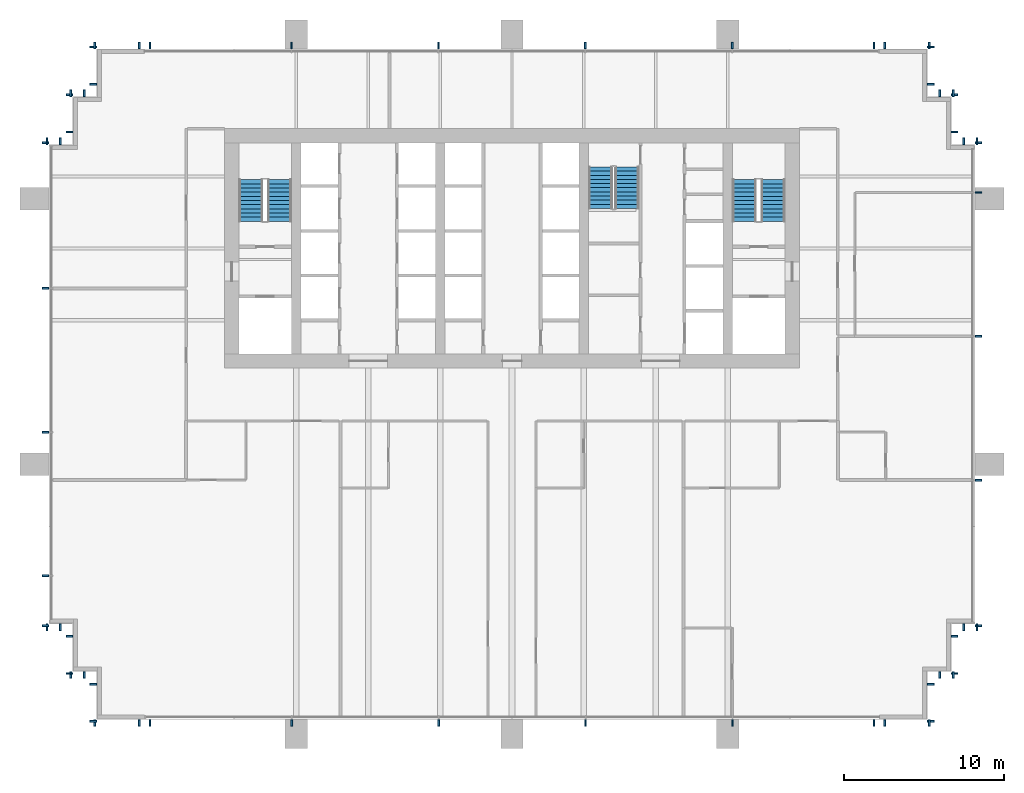
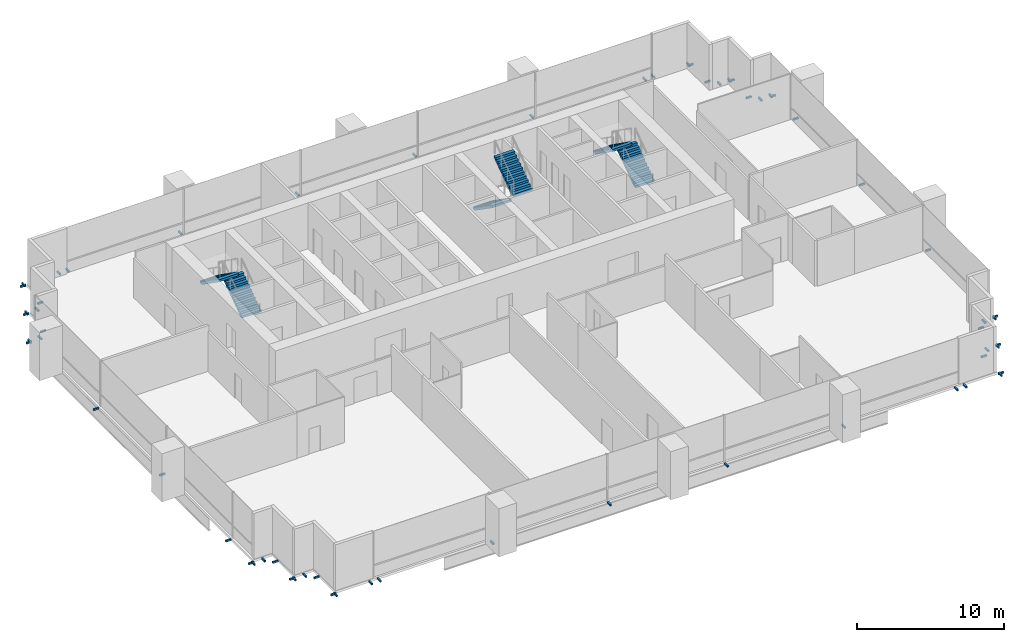
# One storey, part 13 of 14: 62 discrete accessories, 6 stair flights, 3 elements without a shape of their own.
"""IFC4 building model written with IfcOpenShell, lengths in metres."""

from ifc_helpers import new_model, si_unit, direction, frame, origin, origin_2d, place, context, subcontext, project, spatial, polyline, rectangle, outline, extrude, material, type_object, element, aggregate, save


model = new_model("IFC4")

# Units and contexts
model_context = context("Model", 3, precision=1e-05, world=origin(), true_north=direction((0.0, 1.0)))
body_context = subcontext(model_context, "Body", "Model", "MODEL_VIEW")
ifc_project = project(units=[si_unit("LENGTHUNIT", "METRE"), si_unit("AREAUNIT", "SQUARE_METRE"), si_unit("VOLUMEUNIT", "CUBIC_METRE"), si_unit("PLANEANGLEUNIT", "RADIAN"), si_unit("MASSUNIT", "GRAM", prefix="KILO")], contexts=[model_context])

# Site, building, storey
site_placement = place(None, origin())
site = spatial("IfcSite", under=ifc_project, at=site_placement, CompositionType="ELEMENT")
building_placement = place(site_placement, origin())
building = spatial("IfcBuilding", under=site, at=building_placement, Name="Rattan Terrace Tower", CompositionType="ELEMENT")
storey_placement = place(building_placement, frame((0.0, 0.0, 154.10009765625)))
storey = spatial("IfcBuildingStorey", under=building, at=storey_placement, Name="L35", CompositionType="ELEMENT", Elevation=154.10009765625)

# Stair, stair flights
ifc_material_1 = material(Name="Concrete C40/50", Category="concrete")
stair_type = type_object("IfcStairType", Name="Core exit stair 1500", PredefinedType="HALF_TURN_STAIR", material=ifc_material_1)
stair_1_placement = place(storey_placement, origin())
stair_1 = element("IfcStair", 1, at=stair_1_placement, inside=storey, type_object=stair_type, Name="L35 exit stair 1", PredefinedType="HALF_TURN_STAIR")
ifc_material_2 = material(Name="Concrete C40/50", Category="concrete")
stair_flight_type = type_object("IfcStairFlightType", Name="Core exit stair flight 1500", PredefinedType="STRAIGHT", material=ifc_material_2)
stair_flight_1_placement = place(storey_placement, frame((-14.550048828125, 1.699951171875, 0.0), z_axis=(0.0, 0.0, 1.0), x_axis=(0.0, 1.0, 0.0)))
stair_flight_1 = element("IfcStairFlight", 2, at=stair_flight_1_placement, type_object=stair_flight_type, Name="S1 flight 1", NumberOfRisers=11, NumberOfTreads=10, PredefinedType="STRAIGHT", RiserHeight=0.181818182, TreadLength=0.26, context=body_context, shape_type="SweptSolid", body=[
    extrude(outline(polyline([(0.0, 0.0), (0.0, 0.181884765625), (0.260009765625, 0.181884765625), (0.260009765625, 0.363525390625), (0.52001953125, 0.363525390625), (0.52001953125, 0.54541015625), (0.780029296875, 0.54541015625), (0.780029296875, 0.727294921875), (1.0400390625, 0.727294921875), (1.0400390625, 0.9091796875), (1.300048828125, 0.9091796875), (1.300048828125, 1.0908203125), (1.56005859375, 1.0908203125), (1.56005859375, 1.272705078125), (1.820068359375, 1.272705078125), (1.820068359375, 1.45458984375), (2.080078125, 1.45458984375), (2.080078125, 1.636474609375), (2.340087890625, 1.636474609375), (2.340087890625, 1.818115234375), (2.60009765625, 1.818115234375), (2.60009765625, 2.0), (2.60009765625, 1.63525390625), (0.261474609375, 0.0), (0.0, 0.0)])), frame((0.0, 0.75, 0.0), z_axis=(0.0, -1.0, 0.0), x_axis=(1.0, 0.0, 0.0)), (0.0, 0.0, 1.0), 1.5),
])
stair_flight_2_placement = place(storey_placement, frame((-16.35009765625, 4.300048828125, 2.0), z_axis=(0.0, 0.0, 1.0), x_axis=(0.0, -1.0, 0.0)))
stair_flight_2 = element("IfcStairFlight", 3, at=stair_flight_2_placement, type_object=stair_flight_type, Name="S1 flight 2", NumberOfRisers=11, NumberOfTreads=10, PredefinedType="STRAIGHT", RiserHeight=0.181818182, TreadLength=0.26, context=body_context, shape_type="SweptSolid", body=[
    extrude(outline(polyline([(0.0, 0.0), (0.0, 0.181884765625), (0.260009765625, 0.181884765625), (0.260009765625, 0.363525390625), (0.52001953125, 0.363525390625), (0.52001953125, 0.54541015625), (0.780029296875, 0.54541015625), (0.780029296875, 0.727294921875), (1.0400390625, 0.727294921875), (1.0400390625, 0.9091796875), (1.300048828125, 0.9091796875), (1.300048828125, 1.0908203125), (1.56005859375, 1.0908203125), (1.56005859375, 1.272705078125), (1.820068359375, 1.272705078125), (1.820068359375, 1.45458984375), (2.080078125, 1.45458984375), (2.080078125, 1.636474609375), (2.340087890625, 1.636474609375), (2.340087890625, 1.818115234375), (2.60009765625, 1.818115234375), (2.60009765625, 2.0), (2.60009765625, 1.63525390625), (0.261474609375, 0.0), (0.0, 0.0)])), frame((0.0, 0.75, 0.0), z_axis=(0.0, -1.0, 0.0), x_axis=(1.0, 0.0, 0.0)), (0.0, 0.0, 1.0), 1.5),
])
aggregate(stair_1, [stair_flight_1, stair_flight_2])

stair_2_placement = place(storey_placement, origin())
stair_2 = element("IfcStair", 4, at=stair_2_placement, inside=storey, type_object=stair_type, Name="L35 exit stair 2", PredefinedType="HALF_TURN_STAIR")
stair_flight_3_placement = place(storey_placement, frame((16.35009765625, 1.699951171875, 0.0), z_axis=(0.0, 0.0, 1.0), x_axis=(0.0, 1.0, 0.0)))
stair_flight_3 = element("IfcStairFlight", 5, at=stair_flight_3_placement, type_object=stair_flight_type, Name="S2 flight 1", NumberOfRisers=11, NumberOfTreads=10, PredefinedType="STRAIGHT", RiserHeight=0.181818182, TreadLength=0.26, context=body_context, shape_type="SweptSolid", body=[
    extrude(outline(polyline([(0.0, 0.0), (0.0, 0.181884765625), (0.260009765625, 0.181884765625), (0.260009765625, 0.363525390625), (0.52001953125, 0.363525390625), (0.52001953125, 0.54541015625), (0.780029296875, 0.54541015625), (0.780029296875, 0.727294921875), (1.0400390625, 0.727294921875), (1.0400390625, 0.9091796875), (1.300048828125, 0.9091796875), (1.300048828125, 1.0908203125), (1.56005859375, 1.0908203125), (1.56005859375, 1.272705078125), (1.820068359375, 1.272705078125), (1.820068359375, 1.45458984375), (2.080078125, 1.45458984375), (2.080078125, 1.636474609375), (2.340087890625, 1.636474609375), (2.340087890625, 1.818115234375), (2.60009765625, 1.818115234375), (2.60009765625, 2.0), (2.60009765625, 1.63525390625), (0.261474609375, 0.0), (0.0, 0.0)])), frame((0.0, 0.75, 0.0), z_axis=(0.0, -1.0, 0.0), x_axis=(1.0, 0.0, 0.0)), (0.0, 0.0, 1.0), 1.5),
])
stair_flight_4_placement = place(storey_placement, frame((14.550048828125, 4.300048828125, 2.0), z_axis=(0.0, 0.0, 1.0), x_axis=(0.0, -1.0, 0.0)))
stair_flight_4 = element("IfcStairFlight", 6, at=stair_flight_4_placement, type_object=stair_flight_type, Name="S2 flight 2", NumberOfRisers=11, NumberOfTreads=10, PredefinedType="STRAIGHT", RiserHeight=0.181818182, TreadLength=0.26, context=body_context, shape_type="SweptSolid", body=[
    extrude(outline(polyline([(0.0, 0.0), (0.0, 0.181884765625), (0.260009765625, 0.181884765625), (0.260009765625, 0.363525390625), (0.52001953125, 0.363525390625), (0.52001953125, 0.54541015625), (0.780029296875, 0.54541015625), (0.780029296875, 0.727294921875), (1.0400390625, 0.727294921875), (1.0400390625, 0.9091796875), (1.300048828125, 0.9091796875), (1.300048828125, 1.0908203125), (1.56005859375, 1.0908203125), (1.56005859375, 1.272705078125), (1.820068359375, 1.272705078125), (1.820068359375, 1.45458984375), (2.080078125, 1.45458984375), (2.080078125, 1.636474609375), (2.340087890625, 1.636474609375), (2.340087890625, 1.818115234375), (2.60009765625, 1.818115234375), (2.60009765625, 2.0), (2.60009765625, 1.63525390625), (0.261474609375, 0.0), (0.0, 0.0)])), frame((0.0, 0.75, 0.0), z_axis=(0.0, -1.0, 0.0), x_axis=(1.0, 0.0, 0.0)), (0.0, 0.0, 1.0), 1.5),
])
aggregate(stair_2, [stair_flight_3, stair_flight_4])

stair_3_placement = place(storey_placement, origin())
stair_3 = element("IfcStair", 7, at=stair_3_placement, inside=storey, type_object=stair_type, Name="L35 exit stair 3", PredefinedType="HALF_TURN_STAIR")
stair_flight_5_placement = place(storey_placement, frame((5.550048828125, 5.10009765625, 0.0), z_axis=(0.0, 0.0, 1.0), x_axis=(0.0, -1.0, 0.0)))
stair_flight_5 = element("IfcStairFlight", 8, at=stair_flight_5_placement, type_object=stair_flight_type, Name="S3 flight 1", NumberOfRisers=11, NumberOfTreads=10, PredefinedType="STRAIGHT", RiserHeight=0.181818182, TreadLength=0.26, context=body_context, shape_type="SweptSolid", body=[
    extrude(outline(polyline([(0.0, 0.0), (0.0, 0.181884765625), (0.260009765625, 0.181884765625), (0.260009765625, 0.363525390625), (0.52001953125, 0.363525390625), (0.52001953125, 0.54541015625), (0.780029296875, 0.54541015625), (0.780029296875, 0.727294921875), (1.0400390625, 0.727294921875), (1.0400390625, 0.9091796875), (1.300048828125, 0.9091796875), (1.300048828125, 1.0908203125), (1.56005859375, 1.0908203125), (1.56005859375, 1.272705078125), (1.820068359375, 1.272705078125), (1.820068359375, 1.45458984375), (2.080078125, 1.45458984375), (2.080078125, 1.636474609375), (2.340087890625, 1.636474609375), (2.340087890625, 1.818115234375), (2.60009765625, 1.818115234375), (2.60009765625, 2.0), (2.60009765625, 1.63525390625), (0.261474609375, 0.0), (0.0, 0.0)])), frame((0.0, 0.75, 0.0), z_axis=(0.0, -1.0, 0.0), x_axis=(1.0, 0.0, 0.0)), (0.0, 0.0, 1.0), 1.5),
])
stair_flight_6_placement = place(storey_placement, frame((7.199951171875, 2.5, 2.0), z_axis=(0.0, 0.0, 1.0), x_axis=(0.0, 1.0, 0.0)))
stair_flight_6 = element("IfcStairFlight", 9, at=stair_flight_6_placement, type_object=stair_flight_type, Name="S3 flight 2", NumberOfRisers=11, NumberOfTreads=10, PredefinedType="STRAIGHT", RiserHeight=0.181818182, TreadLength=0.26, context=body_context, shape_type="SweptSolid", body=[
    extrude(outline(polyline([(0.0, 0.0), (0.0, 0.181884765625), (0.260009765625, 0.181884765625), (0.260009765625, 0.363525390625), (0.52001953125, 0.363525390625), (0.52001953125, 0.54541015625), (0.780029296875, 0.54541015625), (0.780029296875, 0.727294921875), (1.0400390625, 0.727294921875), (1.0400390625, 0.9091796875), (1.300048828125, 0.9091796875), (1.300048828125, 1.0908203125), (1.56005859375, 1.0908203125), (1.56005859375, 1.272705078125), (1.820068359375, 1.272705078125), (1.820068359375, 1.45458984375), (2.080078125, 1.45458984375), (2.080078125, 1.636474609375), (2.340087890625, 1.636474609375), (2.340087890625, 1.818115234375), (2.60009765625, 1.818115234375), (2.60009765625, 2.0), (2.60009765625, 1.63525390625), (0.261474609375, 0.0), (0.0, 0.0)])), frame((0.0, 0.75, 0.0), z_axis=(0.0, -1.0, 0.0), x_axis=(1.0, 0.0, 0.0)), (0.0, 0.0, 1.0), 1.5),
])
aggregate(stair_3, [stair_flight_5, stair_flight_6])

# Discrete accessories
for number, where, z_axis, x_axis, name in (
    (10, (23.340087890625, -29.7099609375, -0.169921875), (0.0, 0.0, 1.0), (1.0, 0.0, 0.0), "Panel bracket L35-1"),
    (11, (26.110107421875, -29.7099609375, -0.169921875), (0.0, 0.0, 1.0), (1.0, 0.0, 0.0), "Panel bracket L35-2"),
    (12, (26.2099609375, -29.610107421875, -0.169921875), (0.0, 0.0, 1.0), (0.0, 1.0, 0.0), "Panel bracket L35-3"),
    (13, (26.2099609375, -27.2900390625, -0.169921875), (0.0, 0.0, 1.0), (0.0, 1.0, 0.0), "Panel bracket L35-4"),
    (14, (26.7900390625, -26.7099609375, -0.169921875), (0.0, 0.0, 1.0), (1.0, 0.0, 0.0), "Panel bracket L35-5"),
    (15, (27.610107421875, -26.7099609375, -0.169921875), (0.0, 0.0, 1.0), (1.0, 0.0, 0.0), "Panel bracket L35-6"),
    (16, (27.7099609375, -26.610107421875, -0.169921875), (0.0, 0.0, 1.0), (0.0, 1.0, 0.0), "Panel bracket L35-7"),
    (17, (27.7099609375, -24.2900390625, -0.169921875), (0.0, 0.0, 1.0), (0.0, 1.0, 0.0), "Panel bracket L35-8"),
    (18, (28.2900390625, -23.7099609375, -0.169921875), (0.0, 0.0, 1.0), (1.0, 0.0, 0.0), "Panel bracket L35-9"),
    (19, (29.110107421875, -23.7099609375, -0.169921875), (0.0, 0.0, 1.0), (1.0, 0.0, 0.0), "Panel bracket L35-10"),
    (20, (29.2099609375, -23.610107421875, -0.169921875), (0.0, 0.0, 1.0), (0.0, 1.0, 0.0), "Panel bracket L35-11"),
    (21, (29.2099609375, -14.5, -0.169921875), (0.0, 0.0, 1.0), (0.0, 1.0, 0.0), "Panel bracket L35-12"),
    (22, (29.2099609375, -5.5, -0.169921875), (0.0, 0.0, 1.0), (0.0, 1.0, 0.0), "Panel bracket L35-13"),
    (23, (29.2099609375, 3.5, -0.169921875), (0.0, 0.0, 1.0), (0.0, 1.0, 0.0), "Panel bracket L35-14"),
    (24, (29.2099609375, 6.610107421875, -0.169921875), (0.0, 0.0, 1.0), (0.0, 1.0, 0.0), "Panel bracket L35-15"),
    (25, (29.110107421875, 6.7099609375, -0.169921875), (0.0, 0.0, 1.0), (-1.0, 0.0, 0.0), "Panel bracket L35-16"),
    (26, (28.2900390625, 6.7099609375, -0.169921875), (0.0, 0.0, 1.0), (-1.0, 0.0, 0.0), "Panel bracket L35-17"),
    (27, (27.7099609375, 7.2900390625, -0.169921875), (0.0, 0.0, 1.0), (0.0, 1.0, 0.0), "Panel bracket L35-18"),
    (28, (27.7099609375, 9.610107421875, -0.169921875), (0.0, 0.0, 1.0), (0.0, 1.0, 0.0), "Panel bracket L35-19"),
    (29, (27.610107421875, 9.7099609375, -0.169921875), (0.0, 0.0, 1.0), (-1.0, 0.0, 0.0), "Panel bracket L35-20"),
    (30, (26.7900390625, 9.7099609375, -0.169921875), (0.0, 0.0, 1.0), (-1.0, 0.0, 0.0), "Panel bracket L35-21"),
    (31, (26.2099609375, 10.2900390625, -0.169921875), (0.0, 0.0, 1.0), (0.0, 1.0, 0.0), "Panel bracket L35-22"),
    (32, (26.2099609375, 12.610107421875, -0.169921875), (0.0, 0.0, 1.0), (0.0, 1.0, 0.0), "Panel bracket L35-23"),
    (33, (26.110107421875, 12.7099609375, -0.169921875), (0.0, 0.0, 1.0), (-1.0, 0.0, 0.0), "Panel bracket L35-24"),
    (34, (23.340087890625, 12.7099609375, -0.169921875), (0.0, 0.0, 1.0), (-1.0, 0.0, 0.0), "Panel bracket L35-25"),
    (35, (22.659912109375, 12.7099609375, -0.169921875), (0.0, 0.0, 1.0), (-1.0, 0.0, 0.0), "Panel bracket L35-26"),
    (36, (13.799072265625, 12.7099609375, -0.169921875), (0.0, 0.0, 1.0), (-1.0, 0.0, 0.0), "Panel bracket L35-27"),
    (37, (4.597900390625, 12.7099609375, -0.169921875), (0.0, 0.0, 1.0), (-1.0, 0.0, 0.0), "Panel bracket L35-28"),
    (38, (-4.60302734375, 12.7099609375, -0.169921875), (0.0, 0.0, 1.0), (-1.0, 0.0, 0.0), "Panel bracket L35-29"),
    (39, (-13.803955078125, 12.7099609375, -0.169921875), (0.0, 0.0, 1.0), (-1.0, 0.0, 0.0), "Panel bracket L35-30"),
    (40, (-22.659912109375, 12.7099609375, -0.169921875), (0.0, 0.0, 1.0), (-1.0, 0.0, 0.0), "Panel bracket L35-31"),
    (41, (-23.340087890625, 12.7099609375, -0.169921875), (0.0, 0.0, 1.0), (-1.0, 0.0, 0.0), "Panel bracket L35-32"),
    (42, (-26.110107421875, 12.7099609375, -0.169921875), (0.0, 0.0, 1.0), (-1.0, 0.0, 0.0), "Panel bracket L35-33"),
    (43, (-26.2099609375, 12.610107421875, -0.169921875), (0.0, 0.0, 1.0), (0.0, -1.0, 0.0), "Panel bracket L35-34"),
    (44, (-26.2099609375, 10.2900390625, -0.169921875), (0.0, 0.0, 1.0), (0.0, -1.0, 0.0), "Panel bracket L35-35"),
    (45, (-26.7900390625, 9.7099609375, -0.169921875), (0.0, 0.0, 1.0), (-1.0, 0.0, 0.0), "Panel bracket L35-36"),
    (46, (-27.610107421875, 9.7099609375, -0.169921875), (0.0, 0.0, 1.0), (-1.0, 0.0, 0.0), "Panel bracket L35-37"),
    (47, (-27.7099609375, 9.610107421875, -0.169921875), (0.0, 0.0, 1.0), (0.0, -1.0, 0.0), "Panel bracket L35-38"),
    (48, (-27.7099609375, 7.2900390625, -0.169921875), (0.0, 0.0, 1.0), (0.0, -1.0, 0.0), "Panel bracket L35-39"),
    (49, (-28.2900390625, 6.7099609375, -0.169921875), (0.0, 0.0, 1.0), (-1.0, 0.0, 0.0), "Panel bracket L35-40"),
    (50, (-29.110107421875, 6.7099609375, -0.169921875), (0.0, 0.0, 1.0), (-1.0, 0.0, 0.0), "Panel bracket L35-41"),
    (51, (-29.2099609375, 6.610107421875, -0.169921875), (0.0, 0.0, 1.0), (0.0, -1.0, 0.0), "Panel bracket L35-42"),
    (52, (-29.2099609375, -2.5, -0.169921875), (0.0, 0.0, 1.0), (0.0, -1.0, 0.0), "Panel bracket L35-43"),
    (53, (-29.2099609375, -11.5, -0.169921875), (0.0, 0.0, 1.0), (0.0, -1.0, 0.0), "Panel bracket L35-44"),
    (54, (-29.2099609375, -20.5, -0.169921875), (0.0, 0.0, 1.0), (0.0, -1.0, 0.0), "Panel bracket L35-45"),
    (55, (-29.2099609375, -23.610107421875, -0.169921875), (0.0, 0.0, 1.0), (0.0, -1.0, 0.0), "Panel bracket L35-46"),
    (56, (-29.110107421875, -23.7099609375, -0.169921875), (0.0, 0.0, 1.0), (1.0, 0.0, 0.0), "Panel bracket L35-47"),
    (57, (-28.2900390625, -23.7099609375, -0.169921875), (0.0, 0.0, 1.0), (1.0, 0.0, 0.0), "Panel bracket L35-48"),
    (58, (-27.7099609375, -24.2900390625, -0.169921875), (0.0, 0.0, 1.0), (0.0, -1.0, 0.0), "Panel bracket L35-49"),
    (59, (-27.7099609375, -26.610107421875, -0.169921875), (0.0, 0.0, 1.0), (0.0, -1.0, 0.0), "Panel bracket L35-50"),
    (60, (-27.610107421875, -26.7099609375, -0.169921875), (0.0, 0.0, 1.0), (1.0, 0.0, 0.0), "Panel bracket L35-51"),
    (61, (-26.7900390625, -26.7099609375, -0.169921875), (0.0, 0.0, 1.0), (1.0, 0.0, 0.0), "Panel bracket L35-52"),
    (62, (-26.2099609375, -27.2900390625, -0.169921875), (0.0, 0.0, 1.0), (0.0, -1.0, 0.0), "Panel bracket L35-53"),
    (63, (-26.2099609375, -29.610107421875, -0.169921875), (0.0, 0.0, 1.0), (0.0, -1.0, 0.0), "Panel bracket L35-54"),
    (64, (-26.110107421875, -29.7099609375, -0.169921875), (0.0, 0.0, 1.0), (1.0, 0.0, 0.0), "Panel bracket L35-55"),
    (65, (-23.340087890625, -29.7099609375, -0.169921875), (0.0, 0.0, 1.0), (1.0, 0.0, 0.0), "Panel bracket L35-56"),
    (66, (-22.659912109375, -29.7099609375, -0.169921875), (0.0, 0.0, 1.0), (1.0, 0.0, 0.0), "Panel bracket L35-57"),
    (67, (-13.799072265625, -29.7099609375, -0.169921875), (0.0, 0.0, 1.0), (1.0, 0.0, 0.0), "Panel bracket L35-58"),
    (68, (-4.597900390625, -29.7099609375, -0.169921875), (0.0, 0.0, 1.0), (1.0, 0.0, 0.0), "Panel bracket L35-59"),
    (69, (4.60302734375, -29.7099609375, -0.169921875), (0.0, 0.0, 1.0), (1.0, 0.0, 0.0), "Panel bracket L35-60"),
    (70, (13.803955078125, -29.7099609375, -0.169921875), (0.0, 0.0, 1.0), (1.0, 0.0, 0.0), "Panel bracket L35-61"),
    (71, (22.659912109375, -29.7099609375, -0.169921875), (0.0, 0.0, 1.0), (1.0, 0.0, 0.0), "Panel bracket L35-62"),
):
    element("IfcDiscreteAccessory", number, at=place(storey_placement, frame(where, z_axis=z_axis, x_axis=x_axis)), inside=storey, Name=name, PredefinedType="BRACKET", context=body_context, shape_type="SweptSolid", body=[
        extrude(rectangle(XDim=0.1201171875, YDim=0.419921875, at=origin_2d()), origin(), (0.0, 0.0, 1.0), 0.139892578125),
    ])

save(model, "model.ifc")
